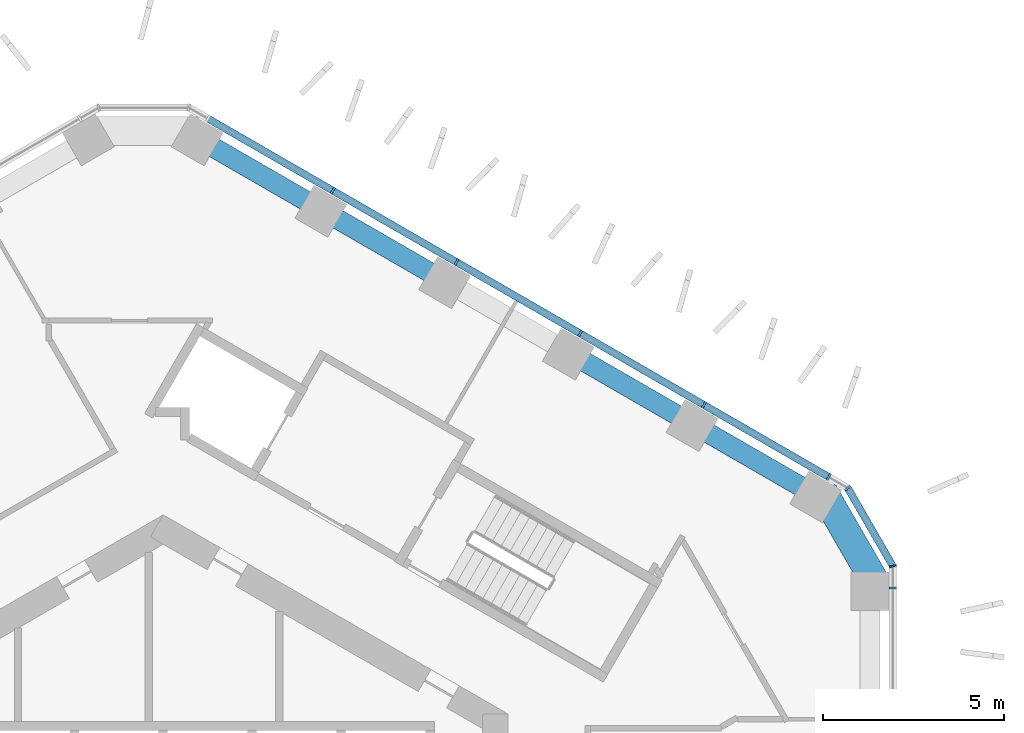
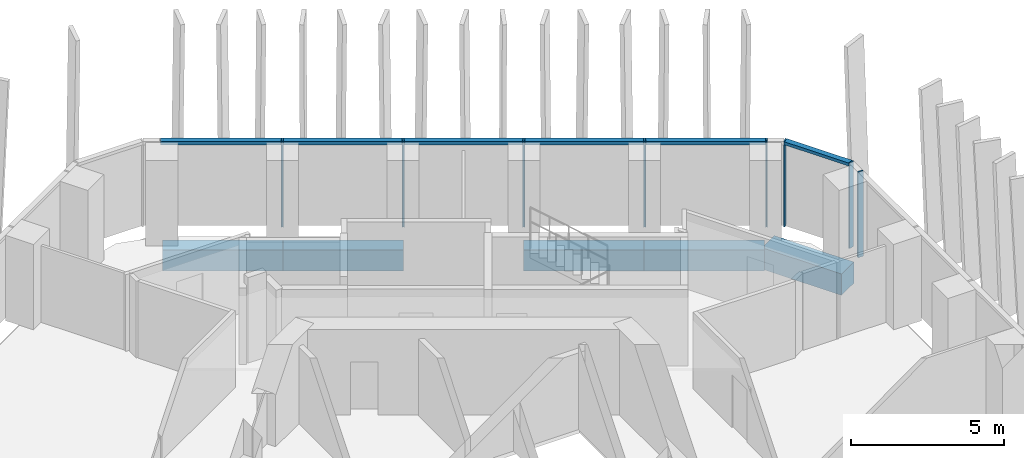
# One storey, part 7 of 19: 10 members, 5 beams, 3 elements without a shape of their own.
"""IFC4 building model written with IfcOpenShell, lengths in metres."""

from ifc_helpers import new_model, si_unit, direction, frame, origin, origin_2d, place, context, subcontext, project, spatial, rectangle, extrude, material, layer, layer_set, material_profile, profile_set, type_object, element, aggregate, save


model = new_model("IFC4")

# Units and contexts
model_context = context("Model", 3, precision=1e-05, world=origin(), true_north=direction((0.0, 1.0)))
body_context = subcontext(model_context, "Body", "Model", "MODEL_VIEW")
ifc_project = project(units=[si_unit("LENGTHUNIT", "METRE"), si_unit("AREAUNIT", "SQUARE_METRE"), si_unit("VOLUMEUNIT", "CUBIC_METRE"), si_unit("PLANEANGLEUNIT", "RADIAN"), si_unit("MASSUNIT", "GRAM", prefix="KILO")], contexts=[model_context])

# Site, building, storey
site_placement = place(None, origin())
site = spatial("IfcSite", under=ifc_project, at=site_placement, CompositionType="ELEMENT")
building_placement = place(site_placement, origin())
building = spatial("IfcBuilding", under=site, at=building_placement, Name="Ayvan Gate Tower", CompositionType="ELEMENT")
storey_placement = place(building_placement, frame((0.0, 0.0, 113.699951171875)))
storey = spatial("IfcBuildingStorey", under=building, at=storey_placement, Name="L30", CompositionType="ELEMENT", Elevation=113.699951171875)

# Beams
ifc_material_1 = material(Name="Concrete C40/50", Category="concrete")
ifc_material_profile_1 = material_profile(ifc_material_1, rectangle(XDim=0.800048828125, YDim=0.85009765625, at=origin_2d()), Name="RC 800x850")
ifc_profile_set_1 = profile_set([ifc_material_profile_1], Name="Concrete C40/50")
beam_type_1 = type_object("IfcBeamType", Name="Corner spandrel beam RC 800x850 C40/50", PredefinedType="BEAM", material=ifc_profile_set_1)
beam_placement = place(storey_placement, frame((19.676025390625, 9.02685546875, -0.77490234375), z_axis=(-0.499990139034, 0.866031096941, 0.0), x_axis=(-0.866031096941, -0.499990139034, 0.0)))
element("IfcBeam", 1, at=beam_placement, inside=storey, type_object=beam_type_1, Name="SB-L30-6", PredefinedType="BEAM", context=body_context, shape_type="SweptSolid", body=[
    extrude(rectangle(XDim=0.800048828125, YDim=0.85009765625, at=origin_2d()), origin(), (0.0, 0.0, 1.0), 3.0),
])
ifc_material_profile_2 = material_profile(ifc_material_1, rectangle(XDim=0.550048828125, YDim=0.85009765625, at=origin_2d()), Name="RC 550x850")
ifc_profile_set_2 = profile_set([ifc_material_profile_2], Name="Concrete C40/50")
beam_type_2 = type_object("IfcBeamType", Name="Spandrel beam RC 550x850 C40/50", PredefinedType="BEAM", material=ifc_profile_set_2)
for number, where, z_axis, x_axis, name in (
    (2, (17.985595703125, 11.514892578125, -0.77490234375), (-0.866042736469, 0.499969977708, 0.0), (-0.499969977708, -0.866042736469, 0.0), "SB-L30-7"),
    (3, (14.584228515625, 13.478515625, -0.77490234375), (-0.866000277803, 0.500043516951, 0.0), (-0.500043516951, -0.866000277803, 0.0), "SB-L30-8"),
    (4, (7.781982421875, 17.406005859375, -0.77490234375), (-0.866042736469, 0.499969977708, 0.0), (-0.499969977708, -0.866042736469, 0.0), "SB-L30-10"),
    (5, (4.380615234375, 19.36962890625, -0.77490234375), (-0.866000277803, 0.500043516951, 0.0), (-0.500043516951, -0.866000277803, 0.0), "SB-L30-11"),
):
    element("IfcBeam", number, at=place(storey_placement, frame(where, z_axis=z_axis, x_axis=x_axis)), inside=storey, type_object=beam_type_2, Name=name, PredefinedType="BEAM", context=body_context, shape_type="SweptSolid", body=[
        extrude(rectangle(XDim=0.550048828125, YDim=0.85009765625, at=origin_2d()), origin(), (0.0, 0.0, 1.0), 3.927490234375),
    ])

# Curtain wall, member
ifc_material_2 = material(Name="Bronze anodised aluminium", Category="aluminium")
ifc_layer_1 = layer(ifc_material_2, 0.199951171875)
ifc_layer_set_1 = layer_set([ifc_layer_1], Name="Bronze anodised aluminium")
curtain_wall_type_1 = type_object("IfcCurtainWallType", Name="Stick curtain wall CW-1", PredefinedType="NOTDEFINED", material=ifc_layer_set_1)
curtain_wall_1_placement = place(storey_placement, origin())
curtain_wall_1 = element("IfcCurtainWall", 6, at=curtain_wall_1_placement, inside=storey, type_object=curtain_wall_type_1, Name="Stick curtain wall CW-1 L30", PredefinedType="NOTDEFINED")
ifc_material_profile_3 = material_profile(ifc_material_2, rectangle(XDim=0.199951171875, YDim=0.06005859375, at=origin_2d()), Name="Stick curtain wall CW-1 mullion 200 x 60")
ifc_profile_set_3 = profile_set([ifc_material_profile_3], Name="Bronze anodised aluminium")
member_type_1 = type_object("IfcMemberType", Name="Stick curtain wall CW-1 mullion 200 x 60", PredefinedType="MULLION", material=ifc_profile_set_3)
member_1_placement = place(storey_placement, frame((20.110595703125, 8.953369140625, 0.0), z_axis=(0.0, 0.0, 1.0), x_axis=(1.0, 0.0, 0.0)))
member_1 = element("IfcMember", 7, at=member_1_placement, type_object=member_type_1, Name="CW-1 mullion 6", PredefinedType="MULLION", context=body_context, shape_type="SweptSolid", body=[
    extrude(rectangle(XDim=0.199951171875, YDim=0.06005859375, at=origin_2d()), origin(), (0.0, 0.0, 1.0), 3.400146484375),
])
aggregate(curtain_wall_1, [member_1])

# Curtain wall, members
curtain_wall_2_placement = place(storey_placement, origin())
curtain_wall_2 = element("IfcCurtainWall", 8, at=curtain_wall_2_placement, inside=storey, type_object=curtain_wall_type_1, Name="Stick curtain wall CW-1 L30", PredefinedType="NOTDEFINED")
member_2_placement = place(storey_placement, frame((18.34326171875, 12.014404296875, 0.0), z_axis=(0.0, 0.0, 1.0), x_axis=(0.5, 0.866025403784, 0.0)))
member_2 = element("IfcMember", 9, at=member_2_placement, type_object=member_type_1, Name="CW-1 mullion 1", PredefinedType="MULLION", context=body_context, shape_type="SweptSolid", body=[
    extrude(rectangle(XDim=0.199951171875, YDim=0.06005859375, at=origin_2d()), origin(), (0.0, 0.0, 1.0), 3.400146484375),
])
member_3_placement = place(storey_placement, frame((14.902587890625, 14.0009765625, 0.0), z_axis=(0.0, 0.0, 1.0), x_axis=(0.5, 0.866025403784, 0.0)))
member_3 = element("IfcMember", 10, at=member_3_placement, type_object=member_type_1, Name="CW-1 mullion 2", PredefinedType="MULLION", context=body_context, shape_type="SweptSolid", body=[
    extrude(rectangle(XDim=0.199951171875, YDim=0.06005859375, at=origin_2d()), origin(), (0.0, 0.0, 1.0), 3.400146484375),
])
member_4_placement = place(storey_placement, frame((11.4931640625, 15.969482421875, 0.0), z_axis=(0.0, 0.0, 1.0), x_axis=(0.5, 0.866025403784, 0.0)))
member_4 = element("IfcMember", 11, at=member_4_placement, type_object=member_type_1, Name="CW-1 mullion 3", PredefinedType="MULLION", context=body_context, shape_type="SweptSolid", body=[
    extrude(rectangle(XDim=0.199951171875, YDim=0.06005859375, at=origin_2d()), origin(), (0.0, 0.0, 1.0), 3.400146484375),
])
member_5_placement = place(storey_placement, frame((8.08349609375, 17.93798828125, 0.0), z_axis=(0.0, 0.0, 1.0), x_axis=(0.5, 0.866025403784, 0.0)))
member_5 = element("IfcMember", 12, at=member_5_placement, type_object=member_type_1, Name="CW-1 mullion 4", PredefinedType="MULLION", context=body_context, shape_type="SweptSolid", body=[
    extrude(rectangle(XDim=0.199951171875, YDim=0.06005859375, at=origin_2d()), origin(), (0.0, 0.0, 1.0), 3.400146484375),
])
member_6_placement = place(storey_placement, frame((4.673095703125, 19.906982421875, 0.0), z_axis=(0.0, 0.0, 1.0), x_axis=(0.5, 0.866025403784, 0.0)))
member_6 = element("IfcMember", 13, at=member_6_placement, type_object=member_type_1, Name="CW-1 mullion 5", PredefinedType="MULLION", context=body_context, shape_type="SweptSolid", body=[
    extrude(rectangle(XDim=0.199951171875, YDim=0.06005859375, at=origin_2d()), origin(), (0.0, 0.0, 1.0), 3.400146484375),
])
ifc_material_profile_4 = material_profile(ifc_material_2, rectangle(XDim=0.199951171875, YDim=0.1201171875, at=origin_2d()), Name="Stick curtain wall CW-1 transom 200 x 120")
ifc_profile_set_4 = profile_set([ifc_material_profile_4], Name="Bronze anodised aluminium")
member_type_2 = type_object("IfcMemberType", Name="Stick curtain wall CW-1 transom 200 x 120", PredefinedType="USERDEFINED", material=ifc_profile_set_4)
member_7_placement = place(storey_placement, frame((18.34326171875, 12.014404296875, 3.340087890625), z_axis=(-0.86602240153, 0.500005200021, 0.0), x_axis=(-0.500005200021, -0.86602240153, 0.0)))
member_7 = element("IfcMember", 14, at=member_7_placement, type_object=member_type_2, Name="CW-1 transom 1", ObjectType="TRANSOM", PredefinedType="USERDEFINED", context=body_context, shape_type="SweptSolid", body=[
    extrude(rectangle(XDim=0.199951171875, YDim=0.1201171875, at=origin_2d()), origin(), (0.0, 0.0, 1.0), 19.757080078125),
])
aggregate(curtain_wall_2, [member_2, member_3, member_4, member_5, member_6, member_7])

ifc_layer_2 = layer(ifc_material_2, 0.199951171875)
ifc_layer_set_2 = layer_set([ifc_layer_2], Name="Bronze anodised aluminium")
curtain_wall_type_2 = type_object("IfcCurtainWallType", Name="Stick curtain wall CW-6", PredefinedType="NOTDEFINED", material=ifc_layer_set_2)
curtain_wall_3_placement = place(storey_placement, origin())
curtain_wall_3 = element("IfcCurtainWall", 15, at=curtain_wall_3_placement, inside=storey, type_object=curtain_wall_type_2, Name="Stick curtain wall CW-6 L30", PredefinedType="NOTDEFINED")
ifc_material_profile_5 = material_profile(ifc_material_2, rectangle(XDim=0.199951171875, YDim=0.050048828125, at=origin_2d()), Name="Stick curtain wall CW-6 mullion 200 x 50")
ifc_profile_set_5 = profile_set([ifc_material_profile_5], Name="Bronze anodised aluminium")
member_type_3 = type_object("IfcMemberType", Name="Stick curtain wall CW-6 mullion 200 x 50", PredefinedType="MULLION", material=ifc_profile_set_5)
member_8_placement = place(storey_placement, frame((20.110595703125, 9.55859375, 0.0), z_axis=(0.0, 0.0, 1.0), x_axis=(0.965925826289, 0.258819045103, 0.0)))
member_8 = element("IfcMember", 16, at=member_8_placement, type_object=member_type_3, Name="CW-6 mullion 2", PredefinedType="MULLION", context=body_context, shape_type="SweptSolid", body=[
    extrude(rectangle(XDim=0.199951171875, YDim=0.050048828125, at=origin_2d()), origin(), (0.0, 0.0, 1.0), 3.400146484375),
])
member_9_placement = place(storey_placement, frame((18.8671875, 11.7119140625, 0.0), z_axis=(0.0, 0.0, 1.0), x_axis=(0.707106781187, 0.707106781187, 0.0)))
member_9 = element("IfcMember", 17, at=member_9_placement, type_object=member_type_3, Name="CW-6 mullion 3", PredefinedType="MULLION", context=body_context, shape_type="SweptSolid", body=[
    extrude(rectangle(XDim=0.199951171875, YDim=0.050048828125, at=origin_2d()), origin(), (0.0, 0.0, 1.0), 3.400146484375),
])
ifc_material_profile_6 = material_profile(ifc_material_2, rectangle(XDim=0.199951171875, YDim=0.1201171875, at=origin_2d()), Name="Stick curtain wall CW-6 transom 200 x 120")
ifc_profile_set_6 = profile_set([ifc_material_profile_6], Name="Bronze anodised aluminium")
member_type_4 = type_object("IfcMemberType", Name="Stick curtain wall CW-6 transom 200 x 120", PredefinedType="USERDEFINED", material=ifc_profile_set_6)
member_10_placement = place(storey_placement, frame((20.09814453125, 9.580078125, 3.340087890625), z_axis=(-0.499997116, 0.866027068856, 0.0), x_axis=(-0.866027068856, -0.499997116, 0.0)))
member_10 = element("IfcMember", 18, at=member_10_placement, type_object=member_type_4, Name="CW-6 transom 2", ObjectType="TRANSOM", PredefinedType="USERDEFINED", context=body_context, shape_type="SweptSolid", body=[
    extrude(rectangle(XDim=0.199951171875, YDim=0.1201171875, at=origin_2d()), origin(), (0.0, 0.0, 1.0), 2.4365234375),
])
aggregate(curtain_wall_3, [member_8, member_9, member_10])

save(model, "model.ifc")
